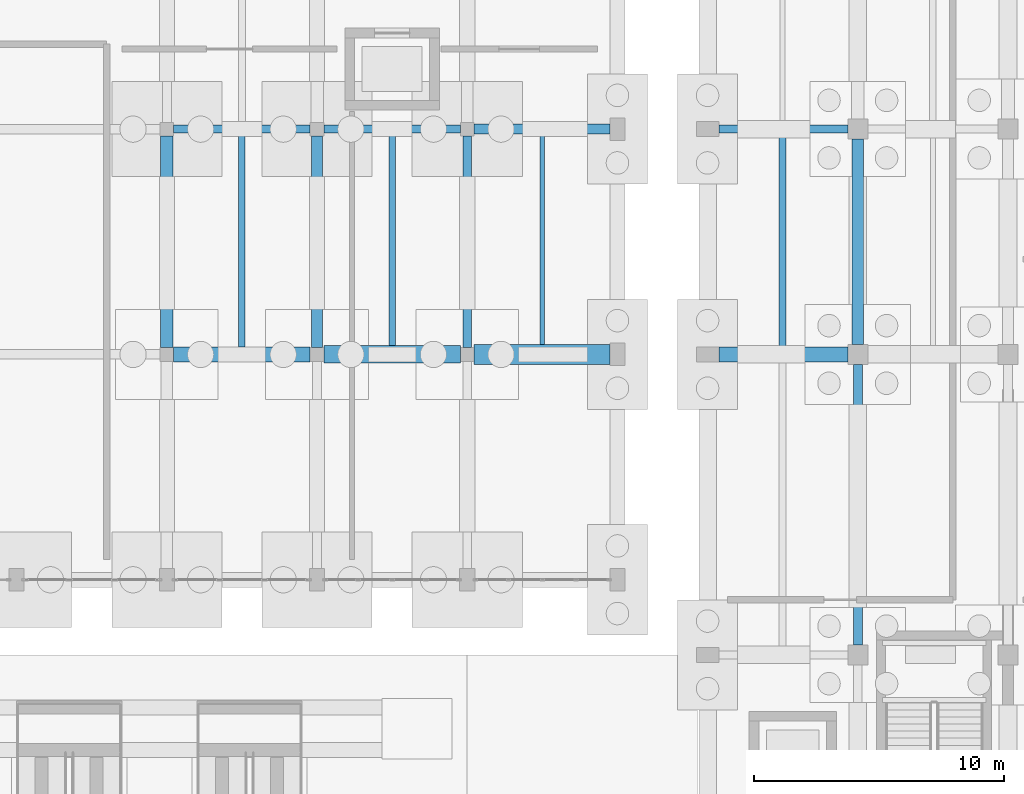
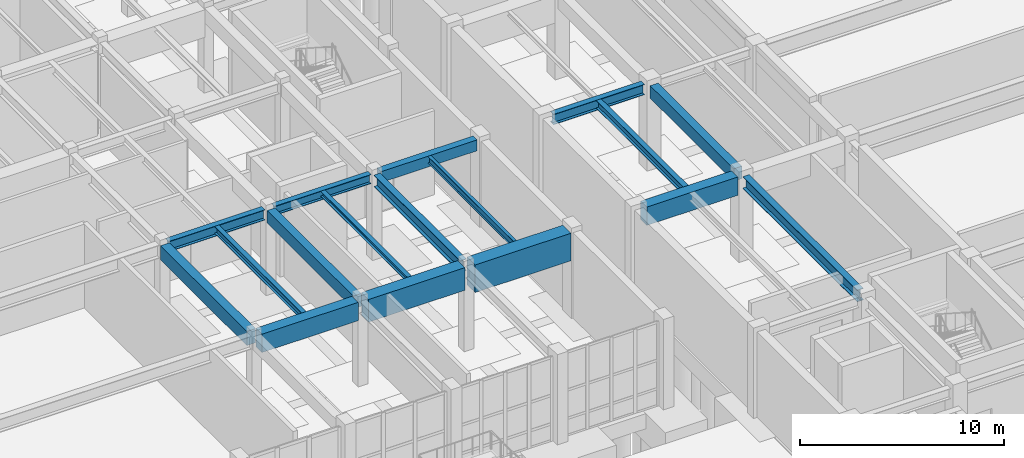
# One storey, part 28 of 69: 17 beams.
"""IFC4 building model written with IfcOpenShell, lengths in metres."""

from ifc_helpers import new_model, si_unit, direction, frame, origin, origin_2d, place, context, subcontext, project, spatial, rectangle, i_section, extrude, material, material_profile, profile_set, type_object, element, save


model = new_model("IFC4")

# Units and contexts
model_context = context("Model", 3, precision=1e-05, world=origin(), true_north=direction((0.0, 1.0)))
body_context = subcontext(model_context, "Body", "Model", "MODEL_VIEW")
ifc_project = project(units=[si_unit("LENGTHUNIT", "METRE"), si_unit("AREAUNIT", "SQUARE_METRE"), si_unit("VOLUMEUNIT", "CUBIC_METRE"), si_unit("PLANEANGLEUNIT", "RADIAN"), si_unit("MASSUNIT", "GRAM", prefix="KILO")], contexts=[model_context])

# Site, building, storey
site_placement = place(None, origin())
site = spatial("IfcSite", under=ifc_project, at=site_placement, CompositionType="ELEMENT")
building_placement = place(site_placement, origin())
building = spatial("IfcBuilding", under=site, at=building_placement, Name="Vaelkrest Opera House", CompositionType="ELEMENT")
storey_placement = place(building_placement, frame((0.0, 0.0, -5.39990234375)))
storey = spatial("IfcBuildingStorey", under=building, at=storey_placement, Name="B1", CompositionType="ELEMENT", Elevation=-5.39990234375)

# Beams
ifc_material_1 = material(Name="Concrete C50/60", Category="concrete")
ifc_material_profile_1 = material_profile(ifc_material_1, rectangle(XDim=0.39990234375, YDim=0.64990234375, at=origin_2d()), Name="RCB400X650")
ifc_profile_set_1 = profile_set([ifc_material_profile_1], Name="Concrete C50/60")
beam_type_1 = type_object("IfcBeamType", Name="B01", PredefinedType="BEAM", material=ifc_profile_set_1)
beam_1_placement = place(storey_placement, frame((-39.324951171875, 1.199951171875, 4.7548828125), z_axis=(1.0, 0.0, 0.0), x_axis=(0.0, 1.0, 0.0)))
element("IfcBeam", 1, at=beam_1_placement, inside=storey, type_object=beam_type_1, Name="Beam BM-V3-B1-1293", PredefinedType="BEAM", context=body_context, shape_type="SweptSolid", body=[
    extrude(rectangle(XDim=0.39990234375, YDim=0.64990234375, at=origin_2d()), origin(), (0.0, 0.0, 1.0), 5.425048828125),
])
ifc_material_profile_2 = material_profile(ifc_material_1, rectangle(XDim=0.449951171875, YDim=0.75, at=origin_2d()), Name="RCB450X750")
ifc_profile_set_2 = profile_set([ifc_material_profile_2], Name="Concrete C50/60")
beam_type_2 = type_object("IfcBeamType", Name="B02", PredefinedType="BEAM", material=ifc_profile_set_2)
beam_2_placement = place(storey_placement, frame((-24.0, -7.39990234375, 4.684814453125), z_axis=(0.0, 1.0, 0.0), x_axis=(-1.0, 0.0, 0.0)))
element("IfcBeam", 2, at=beam_2_placement, inside=storey, type_object=beam_type_2, Name="Beam BM-V1-B1-0039", PredefinedType="BEAM", context=body_context, shape_type="SweptSolid", body=[
    extrude(rectangle(XDim=0.449951171875, YDim=0.75, at=origin_2d()), origin(), (0.0, 0.0, 1.0), 8.199951171875),
])
beam_3_placement = place(storey_placement, frame((-45.60009765625, -7.52490234375, 4.704833984375), z_axis=(0.0, 1.0, 0.0), x_axis=(-1.0, 0.0, 0.0)))
element("IfcBeam", 3, at=beam_3_placement, inside=storey, type_object=beam_type_2, Name="Beam BM-V3-B1-1343", PredefinedType="BEAM", context=body_context, shape_type="SweptSolid", body=[
    extrude(rectangle(XDim=0.449951171875, YDim=0.75, at=origin_2d()), origin(), (0.0, 0.0, 1.0), 8.449951171875),
])
ifc_material_profile_3 = material_profile(ifc_material_1, rectangle(XDim=0.5, YDim=0.85009765625, at=origin_2d()), Name="RCB500X850")
ifc_profile_set_3 = profile_set([ifc_material_profile_3], Name="Concrete C50/60")
beam_type_3 = type_object("IfcBeamType", Name="B03", PredefinedType="BEAM", material=ifc_profile_set_3)
beam_4_placement = place(storey_placement, frame((-51.60009765625, -7.52490234375, 4.65478515625), z_axis=(0.0, 1.0, 0.0), x_axis=(-1.0, 0.0, 0.0)))
element("IfcBeam", 4, at=beam_4_placement, inside=storey, type_object=beam_type_3, Name="Beam BM-V3-B1-1336", PredefinedType="BEAM", context=body_context, shape_type="SweptSolid", body=[
    extrude(rectangle(XDim=0.5, YDim=0.85009765625, at=origin_2d()), origin(), (0.0, 0.0, 1.0), 8.449951171875),
])
ifc_material_profile_4 = material_profile(ifc_material_1, rectangle(XDim=0.60009765625, YDim=1.10009765625, at=origin_2d()), Name="RCB600X1100")
ifc_profile_set_4 = profile_set([ifc_material_profile_4], Name="Concrete C50/60")
beam_type_4 = type_object("IfcBeamType", Name="B05", PredefinedType="BEAM", material=ifc_profile_set_4)
beam_5_placement = place(storey_placement, frame((-29.550048828125, -7.800048828125, 4.510009765625), z_axis=(1.0, 0.0, 0.0), x_axis=(0.0, 1.0, 0.0)))
element("IfcBeam", 5, at=beam_5_placement, inside=storey, type_object=beam_type_4, Name="Beam BM-V1-B1-0022", PredefinedType="BEAM", context=body_context, shape_type="SweptSolid", body=[
    extrude(rectangle(XDim=0.60009765625, YDim=1.10009765625, at=origin_2d()), origin(), (0.0, 0.0, 1.0), 5.150146484375),
])
beam_6_placement = place(storey_placement, frame((-51.324951171875, -7.800048828125, 4.52978515625), z_axis=(1.0, 0.0, 0.0), x_axis=(0.0, 1.0, 0.0)))
element("IfcBeam", 6, at=beam_6_placement, inside=storey, type_object=beam_type_4, Name="Beam BM-V3-B1-1286", PredefinedType="BEAM", context=body_context, shape_type="SweptSolid", body=[
    extrude(rectangle(XDim=0.60009765625, YDim=1.10009765625, at=origin_2d()), origin(), (0.0, 0.0, 1.0), 5.449951171875),
])
ifc_material_profile_5 = material_profile(ifc_material_1, rectangle(XDim=0.699951171875, YDim=1.35009765625, at=origin_2d()), Name="RCB700X1350")
ifc_profile_set_5 = profile_set([ifc_material_profile_5], Name="Concrete C50/60")
beam_type_5 = type_object("IfcBeamType", Name="B06", PredefinedType="BEAM", material=ifc_profile_set_5)
beam_7_placement = place(storey_placement, frame((-45.324951171875, -7.800048828125, 4.40478515625), z_axis=(1.0, 0.0, 0.0), x_axis=(0.0, 1.0, 0.0)))
element("IfcBeam", 7, at=beam_7_placement, inside=storey, type_object=beam_type_5, Name="Beam BM-V3-B1-1287", PredefinedType="BEAM", context=body_context, shape_type="SweptSolid", body=[
    extrude(rectangle(XDim=0.699951171875, YDim=1.35009765625, at=origin_2d()), origin(), (0.0, 0.0, 1.0), 5.449951171875),
])
ifc_material_profile_6 = material_profile(ifc_material_1, rectangle(XDim=0.800048828125, YDim=1.64990234375, at=origin_2d()), Name="RCB800X1650")
ifc_profile_set_6 = profile_set([ifc_material_profile_6], Name="Concrete C50/60")
beam_type_6 = type_object("IfcBeamType", Name="B07", PredefinedType="BEAM", material=ifc_profile_set_6)
beam_8_placement = place(storey_placement, frame((-39.324951171875, -7.800048828125, 4.2548828125), z_axis=(1.0, 0.0, 0.0), x_axis=(0.0, 1.0, 0.0)))
element("IfcBeam", 8, at=beam_8_placement, inside=storey, type_object=beam_type_6, Name="Beam BM-V3-B1-1288", PredefinedType="BEAM", context=body_context, shape_type="SweptSolid", body=[
    extrude(rectangle(XDim=0.800048828125, YDim=1.64990234375, at=origin_2d()), origin(), (0.0, 0.0, 1.0), 5.425048828125),
])
ifc_material_2 = material(Name="Steel A992 Gr50", Category="steel")
ifc_material_profile_7 = material_profile(ifc_material_2, i_section(OverallWidth=0.35791015625, OverallDepth=0.7060546875, WebThickness=0.018310546875, FlangeThickness=0.0302734375, at=origin_2d()), Name="W27X178")
ifc_profile_set_7 = profile_set([ifc_material_profile_7], Name="Steel A992 Gr50")
beam_type_7 = type_object("IfcBeamType", Name="B14", PredefinedType="BEAM", material=ifc_profile_set_7)
beam_9_placement = place(storey_placement, frame((-24.0, -19.39990234375, 4.706787109375), z_axis=(0.0, 1.0, 0.0), x_axis=(-1.0, 0.0, 0.0)))
element("IfcBeam", 9, at=beam_9_placement, inside=storey, type_object=beam_type_7, Name="Beam BM-V1-B1-0038", PredefinedType="BEAM", context=body_context, shape_type="SweptSolid", body=[
    extrude(i_section(OverallWidth=0.35791015625, OverallDepth=0.7060546875, WebThickness=0.018310546875, FlangeThickness=0.0302734375, at=origin_2d()), origin(), (0.0, 0.0, 1.0), 11.199951171875),
])
beam_10_placement = place(storey_placement, frame((-39.60009765625, -7.52490234375, 4.726806640625), z_axis=(0.0, 1.0, 0.0), x_axis=(-1.0, 0.0, 0.0)))
element("IfcBeam", 10, at=beam_10_placement, inside=storey, type_object=beam_type_7, Name="Beam BM-V3-B1-1350", PredefinedType="BEAM", context=body_context, shape_type="SweptSolid", body=[
    extrude(i_section(OverallWidth=0.35791015625, OverallDepth=0.7060546875, WebThickness=0.018310546875, FlangeThickness=0.0302734375, at=origin_2d()), origin(), (0.0, 0.0, 1.0), 8.449951171875),
])
ifc_material_profile_8 = material_profile(ifc_material_2, i_section(OverallWidth=0.326904296875, OverallDepth=0.6220703125, WebThickness=0.015380859375, FlangeThickness=0.0244140625, at=origin_2d()), Name="W24X131")
ifc_profile_set_8 = profile_set([ifc_material_profile_8], Name="Steel A992 Gr50")
beam_type_8 = type_object("IfcBeamType", Name="B19", PredefinedType="BEAM", material=ifc_profile_set_8)
beam_11_placement = place(storey_placement, frame((-29.550048828125, 1.199951171875, 4.7490234375), z_axis=(1.0, 0.0, 0.0), x_axis=(0.0, 1.0, 0.0)))
element("IfcBeam", 11, at=beam_11_placement, inside=storey, type_object=beam_type_8, Name="Beam BM-V1-B1-0027", PredefinedType="BEAM", context=body_context, shape_type="SweptSolid", body=[
    extrude(i_section(OverallWidth=0.326904296875, OverallDepth=0.6220703125, WebThickness=0.015380859375, FlangeThickness=0.0244140625, at=origin_2d()), origin(), (0.0, 0.0, 1.0), 5.150146484375),
])
beam_12_placement = place(storey_placement, frame((-51.324951171875, 1.199951171875, 4.768798828125), z_axis=(1.0, 0.0, 0.0), x_axis=(0.0, 1.0, 0.0)))
element("IfcBeam", 12, at=beam_12_placement, inside=storey, type_object=beam_type_8, Name="Beam BM-V3-B1-1291", PredefinedType="BEAM", context=body_context, shape_type="SweptSolid", body=[
    extrude(i_section(OverallWidth=0.326904296875, OverallDepth=0.6220703125, WebThickness=0.015380859375, FlangeThickness=0.0244140625, at=origin_2d()), origin(), (0.0, 0.0, 1.0), 5.449951171875),
])
ifc_material_profile_9 = material_profile(ifc_material_2, i_section(OverallWidth=0.31494140625, OverallDepth=0.551025390625, WebThickness=0.01513671875, FlangeThickness=0.0244140625, at=origin_2d()), Name="W21X122")
ifc_profile_set_9 = profile_set([ifc_material_profile_9], Name="Steel A992 Gr50")
beam_type_9 = type_object("IfcBeamType", Name="B20", PredefinedType="BEAM", material=ifc_profile_set_9)
beam_13_placement = place(storey_placement, frame((-45.324951171875, 1.199951171875, 4.804443359375), z_axis=(1.0, 0.0, 0.0), x_axis=(0.0, 1.0, 0.0)))
element("IfcBeam", 13, at=beam_13_placement, inside=storey, type_object=beam_type_9, Name="Beam BM-V3-B1-1292", PredefinedType="BEAM", context=body_context, shape_type="SweptSolid", body=[
    extrude(i_section(OverallWidth=0.31494140625, OverallDepth=0.551025390625, WebThickness=0.01513671875, FlangeThickness=0.0244140625, at=origin_2d()), origin(), (0.0, 0.0, 1.0), 5.449951171875),
])
ifc_material_profile_10 = material_profile(ifc_material_2, i_section(OverallWidth=0.25390625, OverallDepth=0.305908203125, WebThickness=0.0087890625, FlangeThickness=0.0146484375, at=origin_2d()), Name="W12X53")
ifc_profile_set_10 = profile_set([ifc_material_profile_10], Name="Steel A992 Gr50")
beam_type_10 = type_object("IfcBeamType", Name="J03", PredefinedType="JOIST", material=ifc_profile_set_10)
beam_14_placement = place(storey_placement, frame((-42.60009765625, -7.449951171875, 4.927001953125), z_axis=(0.0, 1.0, 0.0), x_axis=(-1.0, 0.0, 0.0)))
element("IfcBeam", 14, at=beam_14_placement, inside=storey, type_object=beam_type_10, Name="Floor joist JST-V3-B1-1373", PredefinedType="JOIST", context=body_context, shape_type="SweptSolid", body=[
    extrude(i_section(OverallWidth=0.25390625, OverallDepth=0.305908203125, WebThickness=0.0087890625, FlangeThickness=0.0146484375, at=origin_2d()), origin(), (0.0, 0.0, 1.0), 8.492431640625),
])
ifc_material_profile_11 = material_profile(ifc_material_2, i_section(OverallWidth=0.180908203125, OverallDepth=0.4169921875, WebThickness=0.010986328125, FlangeThickness=0.018310546875, at=origin_2d()), Name="W16X57")
ifc_profile_set_11 = profile_set([ifc_material_profile_11], Name="Steel A992 Gr50")
beam_type_11 = type_object("IfcBeamType", Name="J07", PredefinedType="JOIST", material=ifc_profile_set_11)
beam_15_placement = place(storey_placement, frame((-36.60009765625, -7.39990234375, 4.871337890625), z_axis=(0.0, 1.0, 0.0), x_axis=(-1.0, 0.0, 0.0)))
element("IfcBeam", 15, at=beam_15_placement, inside=storey, type_object=beam_type_11, Name="Floor joist JST-V3-B1-1377", PredefinedType="JOIST", context=body_context, shape_type="SweptSolid", body=[
    extrude(i_section(OverallWidth=0.180908203125, OverallDepth=0.4169921875, WebThickness=0.010986328125, FlangeThickness=0.018310546875, at=origin_2d()), origin(), (0.0, 0.0, 1.0), 8.39990234375),
])
ifc_material_profile_12 = material_profile(ifc_material_2, i_section(OverallWidth=0.261962890625, OverallDepth=0.4189453125, WebThickness=0.01171875, FlangeThickness=0.019287109375, at=origin_2d()), Name="W16X77")
ifc_profile_set_12 = profile_set([ifc_material_profile_12], Name="Steel A992 Gr50")
beam_type_12 = type_object("IfcBeamType", Name="J08", PredefinedType="JOIST", material=ifc_profile_set_12)
beam_16_placement = place(storey_placement, frame((-48.60009765625, -7.5, 4.870361328125), z_axis=(0.0, 1.0, 0.0), x_axis=(-1.0, 0.0, 0.0)))
element("IfcBeam", 16, at=beam_16_placement, inside=storey, type_object=beam_type_12, Name="Floor joist JST-V3-B1-1368", PredefinedType="JOIST", context=body_context, shape_type="SweptSolid", body=[
    extrude(i_section(OverallWidth=0.261962890625, OverallDepth=0.4189453125, WebThickness=0.01171875, FlangeThickness=0.019287109375, at=origin_2d()), origin(), (0.0, 0.0, 1.0), 8.53662109375),
])
ifc_material_profile_13 = material_profile(ifc_material_2, i_section(OverallWidth=0.282958984375, OverallDepth=0.471923828125, WebThickness=0.013671875, FlangeThickness=0.022216796875, at=origin_2d()), Name="W18X97")
ifc_profile_set_13 = profile_set([ifc_material_profile_13], Name="Steel A992 Gr50")
beam_type_13 = type_object("IfcBeamType", Name="J10", PredefinedType="JOIST", material=ifc_profile_set_13)
beam_17_placement = place(storey_placement, frame((-27.0, -7.5, 4.823974609375), z_axis=(0.0, 1.0, 0.0), x_axis=(-1.0, 0.0, 0.0)))
element("IfcBeam", 17, at=beam_17_placement, inside=storey, type_object=beam_type_13, Name="Floor joist JST-V1-B1-0070", PredefinedType="JOIST", context=body_context, shape_type="SweptSolid", body=[
    extrude(i_section(OverallWidth=0.282958984375, OverallDepth=0.471923828125, WebThickness=0.013671875, FlangeThickness=0.022216796875, at=origin_2d()), origin(), (0.0, 0.0, 1.0), 8.53662109375),
])

save(model, "model.ifc")
